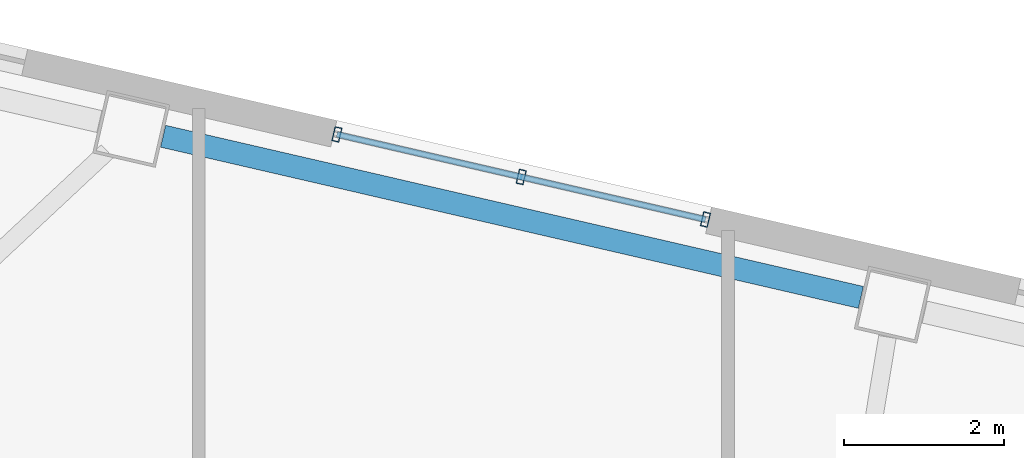
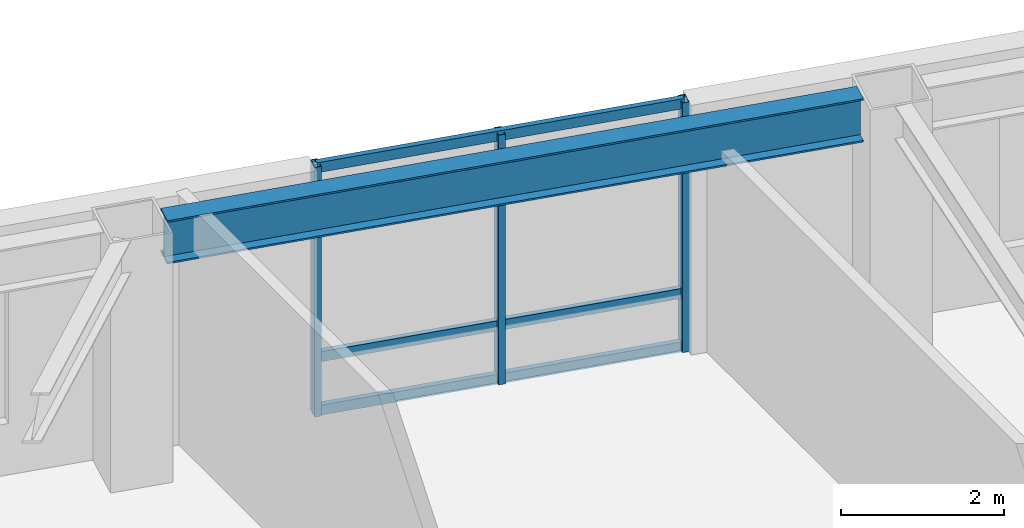
# One storey, part 5 of 18: 6 members, 1 beam, 1 element without a shape of its own.
"""IFC4 building model written with IfcOpenShell, lengths in metres."""

from ifc_helpers import new_model, si_unit, direction, frame, origin, origin_2d, place, context, subcontext, project, spatial, hollow_rectangle, i_section, extrude, material, layer, layer_set, material_profile, profile_set, type_object, element, aggregate, save


model = new_model("IFC4")

# Units and contexts
model_context = context("Model", 3, precision=1e-05, world=origin(), true_north=direction((0.0, 1.0)))
body_context = subcontext(model_context, "Body", "Model", "MODEL_VIEW")
ifc_project = project(units=[si_unit("LENGTHUNIT", "METRE"), si_unit("AREAUNIT", "SQUARE_METRE"), si_unit("VOLUMEUNIT", "CUBIC_METRE"), si_unit("PLANEANGLEUNIT", "RADIAN"), si_unit("MASSUNIT", "GRAM", prefix="KILO")], contexts=[model_context])

# Site, building, storey
site_placement = place(None, origin())
site = spatial("IfcSite", under=ifc_project, at=site_placement, CompositionType="ELEMENT")
building_placement = place(site_placement, origin())
building = spatial("IfcBuilding", under=site, at=building_placement, Name="Tavrogorsk Clinical Tower", CompositionType="ELEMENT")
storey_placement = place(building_placement, frame((0.0, 0.0, 47.39990234375)))
storey = spatial("IfcBuildingStorey", under=building, at=storey_placement, Name="L09", CompositionType="ELEMENT", Elevation=47.39990234375)

# Curtain wall, members
ifc_material_1 = material(Name="Anodised aluminium and triple IGU glazing", Category="aluminium")
ifc_layer = layer(ifc_material_1, 0.179931640625)
ifc_layer_set = layer_set([ifc_layer], Name="Anodised aluminium and triple IGU glazing")
curtain_wall_type = type_object("IfcCurtainWallType", Name="CW2_NorthSlot", PredefinedType="NOTDEFINED", material=ifc_layer_set)
curtain_wall_placement = place(storey_placement, origin())
curtain_wall = element("IfcCurtainWall", 1, at=curtain_wall_placement, inside=storey, type_object=curtain_wall_type, Name="L09 Curtain Wall CW-L09-N-SLOT-1", PredefinedType="NOTDEFINED")
ifc_material_2 = material(Name="Anodised aluminium alloy AW-6060", Category="aluminium")
ifc_material_profile_1 = material_profile(ifc_material_2, hollow_rectangle(XDim=0.090087890625, YDim=0.179931640625, WallThickness=0.00634765625, at=origin_2d()), Name="RHS-180x90x6.3")
ifc_profile_set_1 = profile_set([ifc_material_profile_1], Name="Anodised aluminium alloy AW-6060")
member_type_1 = type_object("IfcMemberType", Name="CwMullion_180x90", PredefinedType="MULLION", material=ifc_profile_set_1)
member_1_placement = place(storey_placement, frame((-3.879638671875, 24.640625, 0.0), z_axis=(0.0, 0.0, 1.0), x_axis=(-0.974370102963, 0.224950888978, 0.0)))
member_1 = element("IfcMember", 2, at=member_1_placement, type_object=member_type_1, Name="CW-L09-N-SLOT-1 Mullion 1", PredefinedType="MULLION", context=body_context, shape_type="SweptSolid", body=[
    extrude(hollow_rectangle(XDim=0.090087890625, YDim=0.179931640625, WallThickness=0.00634765625, at=origin_2d()), origin(), (0.0, 0.0, 1.0), 3.739990234375),
])
member_2_placement = place(storey_placement, frame((-6.17822265625, 25.171142578125, 0.0), z_axis=(0.0, 0.0, 1.0), x_axis=(-0.974370102963, 0.224950888978, 0.0)))
member_2 = element("IfcMember", 3, at=member_2_placement, type_object=member_type_1, Name="CW-L09-N-SLOT-1 Mullion 2", PredefinedType="MULLION", context=body_context, shape_type="SweptSolid", body=[
    extrude(hollow_rectangle(XDim=0.090087890625, YDim=0.179931640625, WallThickness=0.00634765625, at=origin_2d()), origin(), (0.0, 0.0, 1.0), 3.739990234375),
])
member_3_placement = place(storey_placement, frame((-8.476806640625, 25.701904296875, 0.0), z_axis=(0.0, 0.0, 1.0), x_axis=(-0.974370102963, 0.224950888978, 0.0)))
member_3 = element("IfcMember", 4, at=member_3_placement, type_object=member_type_1, Name="CW-L09-N-SLOT-1 Mullion 3", PredefinedType="MULLION", context=body_context, shape_type="SweptSolid", body=[
    extrude(hollow_rectangle(XDim=0.090087890625, YDim=0.179931640625, WallThickness=0.00634765625, at=origin_2d()), origin(), (0.0, 0.0, 1.0), 3.739990234375),
])
ifc_material_3 = material(Name="Anodised aluminium alloy AW-6060", Category="aluminium")
ifc_material_profile_2 = material_profile(ifc_material_3, hollow_rectangle(XDim=0.074951171875, YDim=0.14990234375, WallThickness=0.0048828125, at=origin_2d()), Name="RHS-150x75x5")
ifc_profile_set_2 = profile_set([ifc_material_profile_2], Name="Anodised aluminium alloy AW-6060")
member_type_2 = type_object("IfcMemberType", Name="CwTransom_150x75", PredefinedType="USERDEFINED", material=ifc_profile_set_2)
member_4_placement = place(storey_placement, frame((-3.879638671875, 24.640625, 0.050048828125), z_axis=(-0.974372877948, 0.22493886885, 0.0), x_axis=(-0.22493886885, -0.974372877948, 0.0)))
member_4 = element("IfcMember", 5, at=member_4_placement, type_object=member_type_2, Name="CW-L09-N-SLOT-1 Transom 1", ObjectType="TRANSOM", PredefinedType="USERDEFINED", context=body_context, shape_type="SweptSolid", body=[
    extrude(hollow_rectangle(XDim=0.074951171875, YDim=0.14990234375, WallThickness=0.0048828125, at=origin_2d()), origin(), (0.0, 0.0, 1.0), 4.718017578125),
])
member_5_placement = place(storey_placement, frame((-3.879638671875, 24.640625, 0.85009765625), z_axis=(-0.974372877948, 0.22493886885, 0.0), x_axis=(-0.22493886885, -0.974372877948, 0.0)))
member_5 = element("IfcMember", 6, at=member_5_placement, type_object=member_type_2, Name="CW-L09-N-SLOT-1 Transom 2", ObjectType="TRANSOM", PredefinedType="USERDEFINED", context=body_context, shape_type="SweptSolid", body=[
    extrude(hollow_rectangle(XDim=0.074951171875, YDim=0.14990234375, WallThickness=0.0048828125, at=origin_2d()), origin(), (0.0, 0.0, 1.0), 4.718017578125),
])
member_6_placement = place(storey_placement, frame((-3.879638671875, 24.640625, 3.690185546875), z_axis=(-0.974372877948, 0.22493886885, 0.0), x_axis=(-0.22493886885, -0.974372877948, 0.0)))
member_6 = element("IfcMember", 7, at=member_6_placement, type_object=member_type_2, Name="CW-L09-N-SLOT-1 Transom 3", ObjectType="TRANSOM", PredefinedType="USERDEFINED", context=body_context, shape_type="SweptSolid", body=[
    extrude(hollow_rectangle(XDim=0.074951171875, YDim=0.14990234375, WallThickness=0.0048828125, at=origin_2d()), origin(), (0.0, 0.0, 1.0), 4.718017578125),
])
aggregate(curtain_wall, [member_1, member_2, member_3, member_4, member_5, member_6])

# Beam
ifc_material_4 = material(Name="Structural steel S390", Category="steel")
ifc_material_profile_3 = material_profile(ifc_material_4, i_section(OverallWidth=0.280029296875, OverallDepth=0.64990234375, WebThickness=0.01611328125, FlangeThickness=0.02490234375, at=origin_2d()), Name="B-650x280x16x25")
ifc_profile_set_3 = profile_set([ifc_material_profile_3], Name="Structural steel S390")
beam_type = type_object("IfcBeamType", Name="SpandrelBeam_B650", PredefinedType="SPANDREL", material=ifc_profile_set_3)
beam_placement = place(storey_placement, frame((-1.941162109375, 23.669677734375, 3.4150390625), z_axis=(-0.974372766602, 0.224939351168, 0.0), x_axis=(-0.224939351168, -0.974372766602, 0.0)))
element("IfcBeam", 8, at=beam_placement, inside=storey, type_object=beam_type, Name="L09 Perimeter Spandrel N5-N6", PredefinedType="SPANDREL", context=body_context, shape_type="SweptSolid", body=[
    extrude(i_section(OverallWidth=0.280029296875, OverallDepth=0.64990234375, WebThickness=0.01611328125, FlangeThickness=0.02490234375, at=origin_2d()), origin(), (0.0, 0.0, 1.0), 8.9326171875),
])

save(model, "model.ifc")
